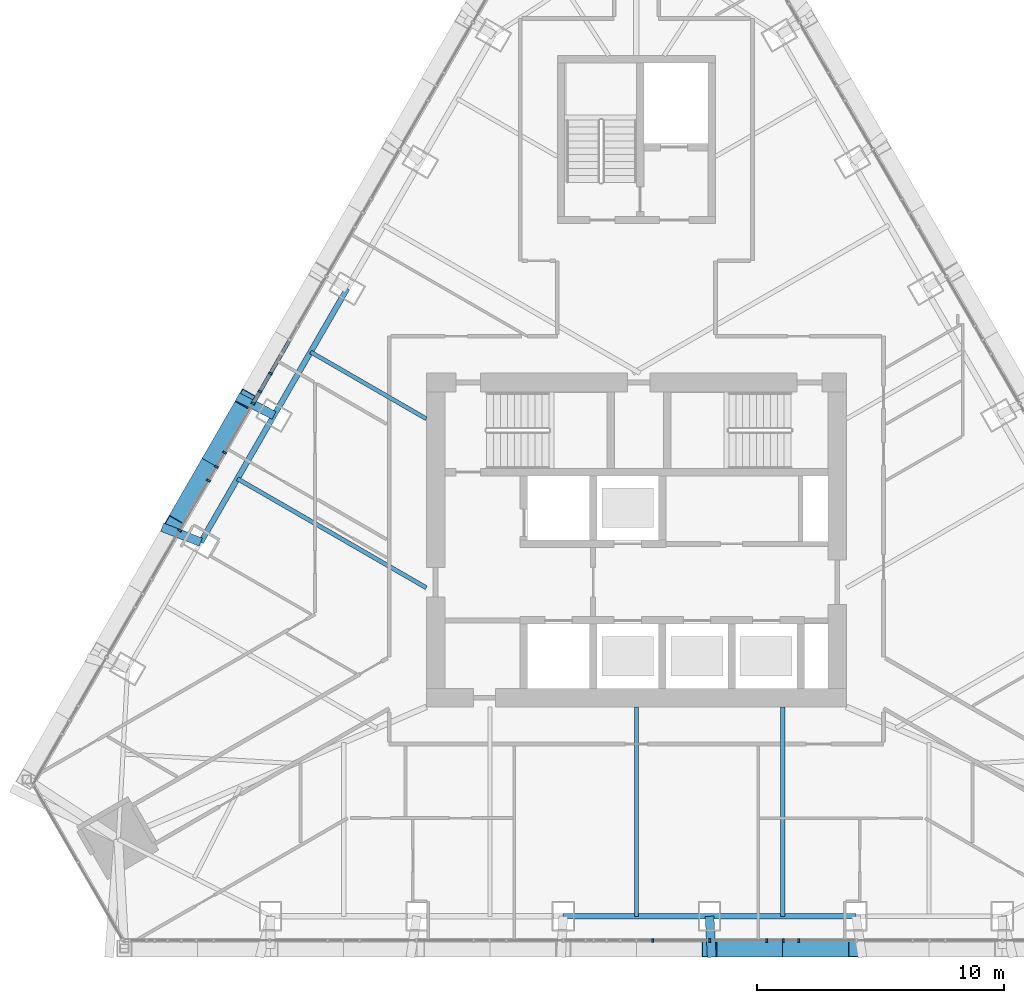
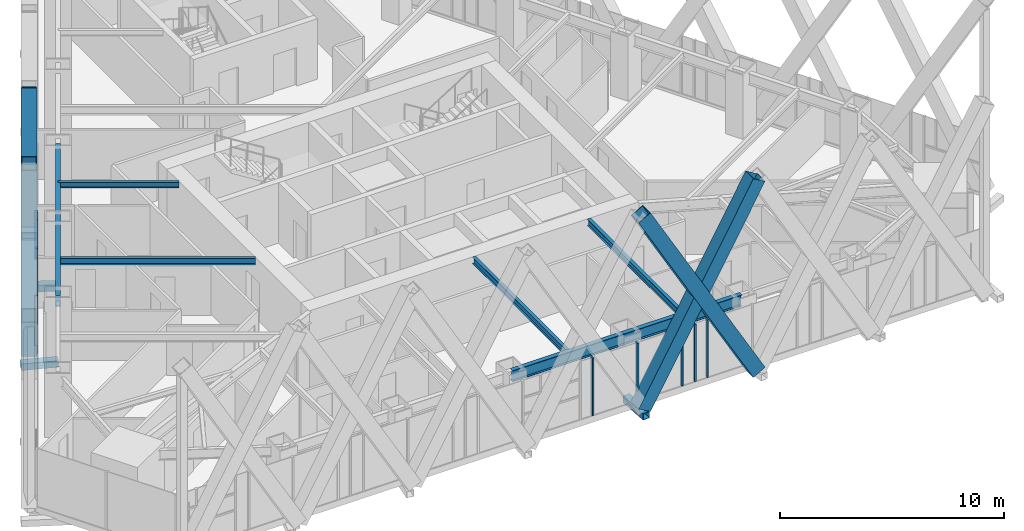
# One storey, part 4 of 23: 20 members, 6 beams, 2 elements without a shape of their own.
"""IFC4 building model written with IfcOpenShell, lengths in metres."""

from ifc_helpers import new_model, si_unit, direction, frame, origin, origin_2d, place, context, subcontext, project, spatial, rectangle, hollow_rectangle, i_section, extrude, material, layer, layer_set, material_profile, profile_set, type_object, element, aggregate, save


model = new_model("IFC4")

# Units and contexts
model_context = context("Model", 3, precision=1e-05, world=origin(), true_north=direction((0.0, 1.0)))
body_context = subcontext(model_context, "Body", "Model", "MODEL_VIEW")
ifc_project = project(units=[si_unit("LENGTHUNIT", "METRE"), si_unit("AREAUNIT", "SQUARE_METRE"), si_unit("VOLUMEUNIT", "CUBIC_METRE"), si_unit("PLANEANGLEUNIT", "RADIAN"), si_unit("MASSUNIT", "GRAM", prefix="KILO")], contexts=[model_context])

# Site, building, storey
site_placement = place(None, origin())
site = spatial("IfcSite", under=ifc_project, at=site_placement, CompositionType="ELEMENT")
building_placement = place(site_placement, origin())
building = spatial("IfcBuilding", under=site, at=building_placement, Name="Firuza Gate Tower and Library", CompositionType="ELEMENT")
storey_placement = place(building_placement, frame((0.0, 0.0, 312.60009765625)))
storey = spatial("IfcBuildingStorey", under=building, at=storey_placement, Name="L76", CompositionType="ELEMENT", Elevation=312.60009765625)

# Members
ifc_material_1 = material(Name="Steel S355", Category="steel")
ifc_material_profile_1 = material_profile(ifc_material_1, hollow_rectangle(XDim=0.699951171875, YDim=0.699951171875, WallThickness=0.030029296875, at=origin_2d()))
ifc_profile_set_1 = profile_set([ifc_material_profile_1], Name="Steel S355")
member_type_1 = type_object("IfcMemberType", Name="BU700x700x30 Lattice brace", PredefinedType="BRACE", material=ifc_profile_set_1)
for number, where, z_axis, x_axis, name in (
    (1, (77.9599609375, 58.48046875, 0.0), (0.491122612788, 0.0, 0.871090454091), (0.0, 1.0, 0.0), "Lattice brace S 20.5R"),
    (2, (83.8798828125, 58.48046875, 0.0), (-0.491122612788, 0.0, 0.871090454091), (0.0, -1.0, 0.0), "Lattice brace S 20.5L"),
):
    element("IfcMember", number, at=place(storey_placement, frame(where, z_axis=z_axis, x_axis=x_axis)), inside=storey, type_object=member_type_1, Name=name, PredefinedType="BRACE", context=body_context, shape_type="SweptSolid", body=[
        extrude(hollow_rectangle(XDim=0.699951171875, YDim=0.699951171875, WallThickness=0.030029296875, at=origin_2d()), origin(), (0.0, 0.0, 1.0), 12.053955078125),
    ])
for number, where, z_axis, x_axis, name in (
    (3, (59.213623046875, 80.6962890625, 0.0), (-0.245562118689, -0.425318288547, 0.87109333558), (0.866021444707, -0.500006857261, 0.0), "Lattice brace W 20.5R"),
    (4, (56.253662109375, 75.569580078125, 0.0), (0.245562118689, 0.425318288547, 0.87109333558), (-0.866021444707, 0.500006857261, 0.0), "Lattice brace W 20.5L"),
):
    element("IfcMember", number, at=place(storey_placement, frame(where, z_axis=z_axis, x_axis=x_axis)), inside=storey, type_object=member_type_1, Name=name, PredefinedType="BRACE", context=body_context, shape_type="SweptSolid", body=[
        extrude(hollow_rectangle(XDim=0.699951171875, YDim=0.699951171875, WallThickness=0.030029296875, at=origin_2d()), origin(), (0.0, 0.0, 1.0), 12.0537109375),
    ])

# Curtain wall, members
ifc_material_2 = material(Name="Aluminium 6063-T6", Category="aluminium")
ifc_layer = layer(ifc_material_2, 0.14990234375)
ifc_layer_set = layer_set([ifc_layer], Name="Unitised curtain wall, residences")
curtain_wall_type = type_object("IfcCurtainWallType", Name="Unitised curtain wall, residences", PredefinedType="NOTDEFINED", material=ifc_layer_set)
placement = place(storey_placement, origin())
curtain_wall_1 = element("IfcCurtainWall", 5, at=placement, inside=storey, type_object=curtain_wall_type, Name="CW3 L76 S face", PredefinedType="NOTDEFINED")
ifc_material_3 = material(Name="Aluminium 6063-T6", Category="aluminium")
ifc_material_profile_2 = material_profile(ifc_material_3, rectangle(XDim=0.14990234375, YDim=0.080078125, at=origin_2d()))
ifc_profile_set_2 = profile_set([ifc_material_profile_2], Name="Aluminium 6063-T6")
member_type_2 = type_object("IfcMemberType", Name="Curtain wall mullion 80x150", PredefinedType="MULLION", material=ifc_profile_set_2)
member_1_placement = place(storey_placement, frame((77.966064453125, 58.805419921875, 0.14990234375), z_axis=(0.0, 0.0, 1.0), x_axis=(0.0, 1.0, 0.0)))
member_1 = element("IfcMember", 6, at=member_1_placement, type_object=member_type_2, Name="Mullion", PredefinedType="MULLION", context=body_context, shape_type="SweptSolid", body=[
    extrude(rectangle(XDim=0.14990234375, YDim=0.080078125, at=origin_2d()), origin(), (0.0, 0.0, 1.0), 3.14990234375),
])
member_2_placement = place(storey_placement, frame((80.932373046875, 58.805419921875, 0.14990234375), z_axis=(0.0, 0.0, 1.0), x_axis=(0.0, 1.0, 0.0)))
member_2 = element("IfcMember", 7, at=member_2_placement, type_object=member_type_2, Name="Mullion", PredefinedType="MULLION", context=body_context, shape_type="SweptSolid", body=[
    extrude(rectangle(XDim=0.14990234375, YDim=0.080078125, at=origin_2d()), origin(), (0.0, 0.0, 1.0), 3.14990234375),
])
member_3_placement = place(storey_placement, frame((75.652587890625, 58.805419921875, 0.14990234375), z_axis=(0.0, 0.0, 1.0), x_axis=(0.0, 1.0, 0.0)))
member_3 = element("IfcMember", 8, at=member_3_placement, type_object=member_type_2, Name="Mullion", PredefinedType="MULLION", context=body_context, shape_type="SweptSolid", body=[
    extrude(rectangle(XDim=0.14990234375, YDim=0.080078125, at=origin_2d()), origin(), (0.0, 0.0, 1.0), 3.14990234375),
])
member_4_placement = place(storey_placement, frame((80.267333984375, 58.805419921875, 0.14990234375), z_axis=(0.0, 0.0, 1.0), x_axis=(0.0, 1.0, 0.0)))
member_4 = element("IfcMember", 9, at=member_4_placement, type_object=member_type_2, Name="Mullion", PredefinedType="MULLION", context=body_context, shape_type="SweptSolid", body=[
    extrude(rectangle(XDim=0.14990234375, YDim=0.080078125, at=origin_2d()), origin(), (0.0, 0.0, 1.0), 3.14990234375),
])
member_5_placement = place(storey_placement, frame((81.57275390625, 58.805419921875, 0.14990234375), z_axis=(0.0, 0.0, 1.0), x_axis=(0.0, 1.0, 0.0)))
member_5 = element("IfcMember", 10, at=member_5_placement, type_object=member_type_2, Name="Mullion", PredefinedType="MULLION", context=body_context, shape_type="SweptSolid", body=[
    extrude(rectangle(XDim=0.14990234375, YDim=0.080078125, at=origin_2d()), origin(), (0.0, 0.0, 1.0), 3.14990234375),
])
aggregate(curtain_wall_1, [member_1, member_2, member_3, member_4, member_5])

curtain_wall_2 = element("IfcCurtainWall", 11, at=placement, inside=storey, type_object=curtain_wall_type, Name="CW3 L76 W face", PredefinedType="NOTDEFINED")
member_6_placement = place(storey_placement, frame((59.491943359375, 80.528564453125, 0.14990234375), z_axis=(0.0, 0.0, 1.0), x_axis=(0.866025403784, -0.5, 0.0)))
member_6 = element("IfcMember", 12, at=member_6_placement, type_object=member_type_2, Name="Mullion", PredefinedType="MULLION", context=body_context, shape_type="SweptSolid", body=[
    extrude(rectangle(XDim=0.14990234375, YDim=0.080078125, at=origin_2d()), origin(), (0.0, 0.0, 1.0), 3.14990234375),
])
member_7_placement = place(storey_placement, frame((58.0087890625, 77.959716796875, 0.14990234375), z_axis=(0.0, 0.0, 1.0), x_axis=(0.866025403784, -0.5, 0.0)))
member_7 = element("IfcMember", 13, at=member_7_placement, type_object=member_type_2, Name="Mullion", PredefinedType="MULLION", context=body_context, shape_type="SweptSolid", body=[
    extrude(rectangle(XDim=0.14990234375, YDim=0.080078125, at=origin_2d()), origin(), (0.0, 0.0, 1.0), 3.14990234375),
])
member_8_placement = place(storey_placement, frame((56.52587890625, 75.390869140625, 0.14990234375), z_axis=(0.0, 0.0, 1.0), x_axis=(0.866025403784, -0.5, 0.0)))
member_8 = element("IfcMember", 14, at=member_8_placement, type_object=member_type_2, Name="Mullion", PredefinedType="MULLION", context=body_context, shape_type="SweptSolid", body=[
    extrude(rectangle(XDim=0.14990234375, YDim=0.080078125, at=origin_2d()), origin(), (0.0, 0.0, 1.0), 3.14990234375),
])
member_9_placement = place(storey_placement, frame((60.193359375, 81.74365234375, 0.14990234375), z_axis=(0.0, 0.0, 1.0), x_axis=(0.866025403784, -0.5, 0.0)))
member_9 = element("IfcMember", 15, at=member_9_placement, type_object=member_type_2, Name="Mullion", PredefinedType="MULLION", context=body_context, shape_type="SweptSolid", body=[
    extrude(rectangle(XDim=0.14990234375, YDim=0.080078125, at=origin_2d()), origin(), (0.0, 0.0, 1.0), 1.534912109375),
])
member_10_placement = place(storey_placement, frame((59.769287109375, 81.0087890625, 1.764892578125), z_axis=(0.0, 0.0, 1.0), x_axis=(0.866025403784, -0.5, 0.0)))
member_10 = element("IfcMember", 16, at=member_10_placement, type_object=member_type_2, Name="Mullion", PredefinedType="MULLION", context=body_context, shape_type="SweptSolid", body=[
    extrude(rectangle(XDim=0.14990234375, YDim=0.080078125, at=origin_2d()), origin(), (0.0, 0.0, 1.0), 1.534912109375),
])
member_11_placement = place(storey_placement, frame((58.34130859375, 78.53564453125, 0.14990234375), z_axis=(0.0, 0.0, 1.0), x_axis=(0.866025403784, -0.5, 0.0)))
member_11 = element("IfcMember", 17, at=member_11_placement, type_object=member_type_2, Name="Mullion", PredefinedType="MULLION", context=body_context, shape_type="SweptSolid", body=[
    extrude(rectangle(XDim=0.14990234375, YDim=0.080078125, at=origin_2d()), origin(), (0.0, 0.0, 1.0), 3.14990234375),
])
member_12_placement = place(storey_placement, frame((57.688720703125, 77.4052734375, 0.14990234375), z_axis=(0.0, 0.0, 1.0), x_axis=(0.866025403784, -0.5, 0.0)))
member_12 = element("IfcMember", 18, at=member_12_placement, type_object=member_type_2, Name="Mullion", PredefinedType="MULLION", context=body_context, shape_type="SweptSolid", body=[
    extrude(rectangle(XDim=0.14990234375, YDim=0.080078125, at=origin_2d()), origin(), (0.0, 0.0, 1.0), 3.14990234375),
])
ifc_material_4 = material(Name="Aluminium 6063-T6", Category="aluminium")
ifc_material_profile_3 = material_profile(ifc_material_4, rectangle(XDim=0.14990234375, YDim=0.080078125, at=origin_2d()))
ifc_profile_set_3 = profile_set([ifc_material_profile_3], Name="Aluminium 6063-T6")
member_type_3 = type_object("IfcMemberType", Name="Curtain wall transom 80x150", PredefinedType="USERDEFINED", material=ifc_profile_set_3)
member_13_placement = place(storey_placement, frame((60.955078125, 83.062744140625, 1.724853515625), z_axis=(-0.500005579313, -0.866022182542, 0.0), x_axis=(0.866022182542, -0.500005579313, 0.0)))
member_13 = element("IfcMember", 19, at=member_13_placement, type_object=member_type_3, Name="Transom", ObjectType="TRANSOM", PredefinedType="USERDEFINED", context=body_context, shape_type="SweptSolid", body=[
    extrude(rectangle(XDim=0.14990234375, YDim=0.080078125, at=origin_2d()), origin(), (0.0, 0.0, 1.0), 2.88623046875),
])
aggregate(curtain_wall_2, [member_6, member_7, member_8, member_9, member_10, member_13, member_11, member_12])

# Members
ifc_material_5 = material(Name="Steel S355", Category="steel")
ifc_material_profile_4 = material_profile(ifc_material_5, hollow_rectangle(XDim=0.355712890625, YDim=0.355712890625, WallThickness=0.014892578125, at=origin_2d()))
ifc_profile_set_4 = profile_set([ifc_material_profile_4], Name="Steel S355")
member_type_4 = type_object("IfcMemberType", Name="HSS356x356x16 Lattice node tie", PredefinedType="BRACE", material=ifc_profile_set_4)
member_14_placement = place(storey_placement, frame((77.9599609375, 59.7802734375, -0.320068359375), z_axis=(0.053161704168, -0.998585916789, 0.0), x_axis=(0.998585916789, 0.053161704168, 0.0)))
element("IfcMember", 20, at=member_14_placement, inside=storey, type_object=member_type_4, Name="Lattice node tie S L76 547", PredefinedType="BRACE", context=body_context, shape_type="SweptSolid", body=[
    extrude(hollow_rectangle(XDim=0.355712890625, YDim=0.355712890625, WallThickness=0.014892578125, at=origin_2d()), origin(), (0.0, 0.0, 1.0), 1.657958984375),
])
member_15_placement = place(storey_placement, frame((57.37939453125, 74.91943359375, -0.320068359375), z_axis=(-0.933926060074, 0.357466242202, 0.0), x_axis=(-0.357466242202, -0.933926060074, 0.0)))
element("IfcMember", 21, at=member_15_placement, inside=storey, type_object=member_type_4, Name="Lattice node tie W L76 557", PredefinedType="BRACE", context=body_context, shape_type="SweptSolid", body=[
    extrude(hollow_rectangle(XDim=0.355712890625, YDim=0.355712890625, WallThickness=0.014892578125, at=origin_2d()), origin(), (0.0, 0.0, 1.0), 1.6767578125),
])
member_16_placement = place(storey_placement, frame((60.33935546875, 80.04638671875, -0.320068359375), z_axis=(-0.89131352681, 0.453387468866, 0.0), x_axis=(-0.453387468866, -0.89131352681, 0.0)))
element("IfcMember", 22, at=member_16_placement, inside=storey, type_object=member_type_4, Name="Lattice node tie W L76 558", PredefinedType="BRACE", context=body_context, shape_type="SweptSolid", body=[
    extrude(hollow_rectangle(XDim=0.355712890625, YDim=0.355712890625, WallThickness=0.014892578125, at=origin_2d()), origin(), (0.0, 0.0, 1.0), 1.657958984375),
])

# Beams
ifc_material_6 = material(Name="Steel S355", Category="steel")
ifc_material_profile_5 = material_profile(ifc_material_6, i_section(OverallWidth=0.1650390625, OverallDepth=0.31005859375, WebThickness=0.005859375, FlangeThickness=0.009765625, at=origin_2d()))
ifc_profile_set_5 = profile_set([ifc_material_profile_5], Name="Steel S355")
beam_type_1 = type_object("IfcBeamType", Name="W310x39 Floor beam", PredefinedType="JOIST", material=ifc_profile_set_5)
beam_1_placement = place(storey_placement, frame((61.8193359375, 82.60986328125, 3.14501953125), z_axis=(0.866024608893, -0.500001376791, 0.0), x_axis=(0.500001376791, 0.866024608893, 0.0)))
element("IfcBeam", 23, at=beam_1_placement, inside=storey, type_object=beam_type_1, Name="Floor beam L76 s82", PredefinedType="JOIST", context=body_context, shape_type="SweptSolid", body=[
    extrude(i_section(OverallWidth=0.1650390625, OverallDepth=0.31005859375, WebThickness=0.005859375, FlangeThickness=0.009765625, at=origin_2d()), origin(), (0.0, 0.0, 1.0), 5.40478515625),
])
ifc_material_7 = material(Name="Steel S355", Category="steel")
ifc_material_profile_6 = material_profile(ifc_material_7, i_section(OverallWidth=0.1708984375, OverallDepth=0.35498046875, WebThickness=0.007080078125, FlangeThickness=0.01171875, at=origin_2d()))
ifc_profile_set_6 = profile_set([ifc_material_profile_6], Name="Steel S355")
beam_type_2 = type_object("IfcBeamType", Name="W360x51 Floor beam", PredefinedType="JOIST", material=ifc_profile_set_6)
for number, where, z_axis, x_axis, name in (
    (24, (75.0, 59.7802734375, 3.122314453125), (0.0, 1.0, 0.0), (-1.0, 0.0, 0.0), "Floor beam L76 s22"),
    (25, (80.919921875, 59.7802734375, 3.122314453125), (0.0, 1.0, 0.0), (-1.0, 0.0, 0.0), "Floor beam L76 s23"),
):
    element("IfcBeam", number, at=place(storey_placement, frame(where, z_axis=z_axis, x_axis=x_axis)), inside=storey, type_object=beam_type_2, Name=name, PredefinedType="JOIST", context=body_context, shape_type="SweptSolid", body=[
        extrude(i_section(OverallWidth=0.1708984375, OverallDepth=0.35498046875, WebThickness=0.007080078125, FlangeThickness=0.01171875, at=origin_2d()), origin(), (0.0, 0.0, 1.0), 8.4697265625),
    ])
beam_2_placement = place(storey_placement, frame((58.859375, 77.48291015625, 3.122314453125), z_axis=(0.866022456413, -0.500005104963, 0.0), x_axis=(0.500005104963, 0.866022456413, 0.0)))
element("IfcBeam", 26, at=beam_2_placement, inside=storey, type_object=beam_type_2, Name="Floor beam L76 s83", PredefinedType="JOIST", context=body_context, shape_type="SweptSolid", body=[
    extrude(i_section(OverallWidth=0.1708984375, OverallDepth=0.35498046875, WebThickness=0.007080078125, FlangeThickness=0.01171875, at=origin_2d()), origin(), (0.0, 0.0, 1.0), 8.82275390625),
])
ifc_material_8 = material(Name="Steel S355", Category="steel")
ifc_material_profile_7 = material_profile(ifc_material_8, i_section(OverallWidth=0.22900390625, OverallDepth=0.612060546875, WebThickness=0.011962890625, FlangeThickness=0.01953125, at=origin_2d()))
ifc_profile_set_7 = profile_set([ifc_material_profile_7], Name="Steel S355")
beam_type_3 = type_object("IfcBeamType", Name="W610x125 Edge beam", PredefinedType="SPANDREL", material=ifc_profile_set_7)
beam_3_placement = place(storey_placement, frame((72.0400390625, 59.7802734375, 2.993896484375), z_axis=(1.0, 0.0, 0.0), x_axis=(0.0, 1.0, 0.0)))
element("IfcBeam", 27, at=beam_3_placement, inside=storey, type_object=beam_type_3, Name="Edge beam L76 e22", PredefinedType="SPANDREL", context=body_context, shape_type="SweptSolid", body=[
    extrude(i_section(OverallWidth=0.22900390625, OverallDepth=0.612060546875, WebThickness=0.011962890625, FlangeThickness=0.01953125, at=origin_2d()), origin(), (0.0, 0.0, 1.0), 11.83984375),
])
beam_4_placement = place(storey_placement, frame((63.29931640625, 85.17333984375, 2.993896484375), z_axis=(-0.499988999718, -0.866031754707, 0.0), x_axis=(0.866031754707, -0.499988999718, 0.0)))
element("IfcBeam", 28, at=beam_4_placement, inside=storey, type_object=beam_type_3, Name="Edge beam L76 e82", PredefinedType="SPANDREL", context=body_context, shape_type="SweptSolid", body=[
    extrude(i_section(OverallWidth=0.22900390625, OverallDepth=0.612060546875, WebThickness=0.011962890625, FlangeThickness=0.01953125, at=origin_2d()), origin(), (0.0, 0.0, 1.0), 11.840087890625),
])

save(model, "model.ifc")
